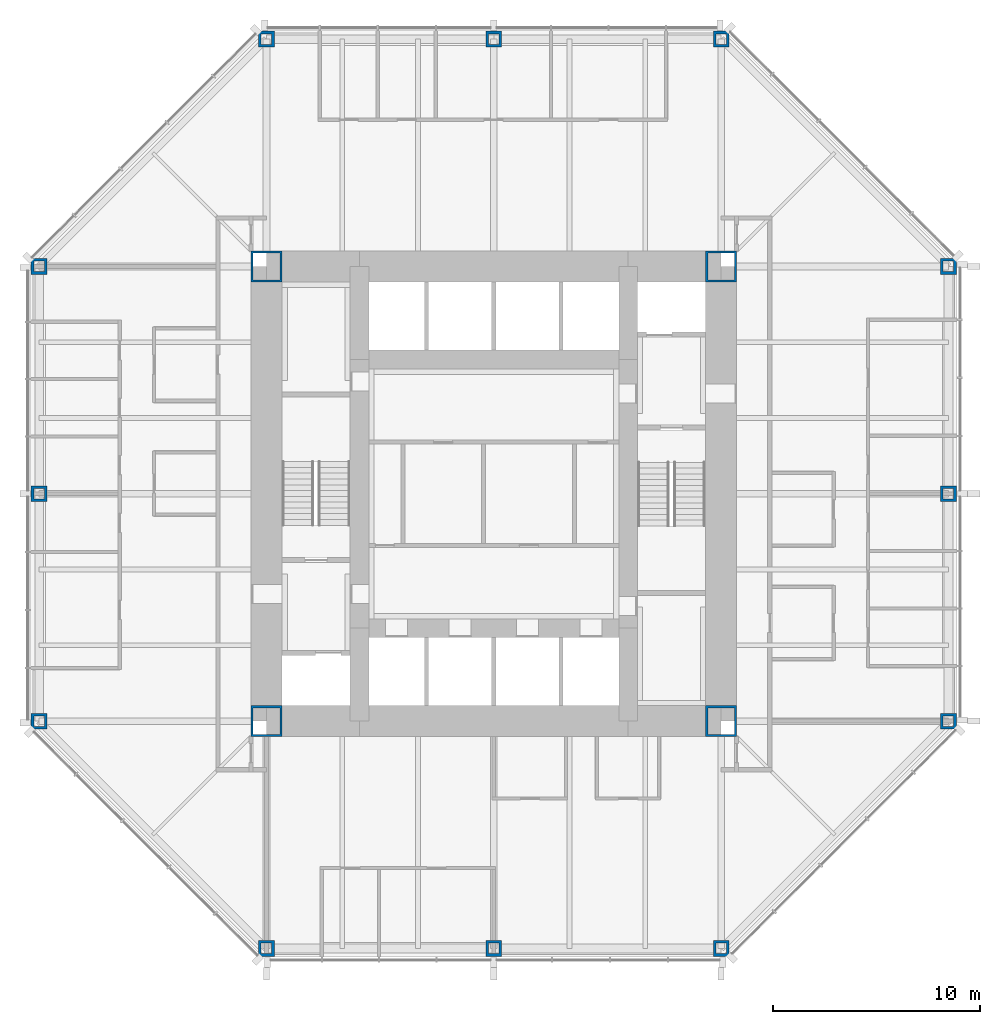
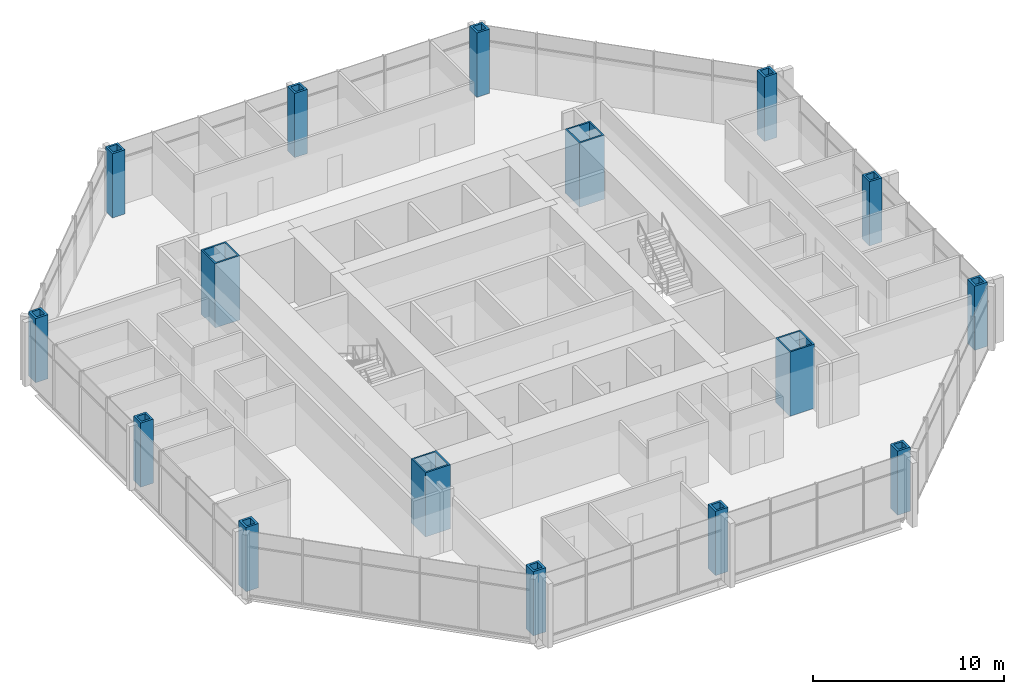
# One storey, part 1 of 12: 16 columns.
"""IFC4 building model written with IfcOpenShell, lengths in metres."""

from ifc_helpers import new_model, si_unit, direction, frame, origin, origin_2d, place, context, subcontext, project, spatial, hollow_rectangle, extrude, material, material_profile, profile_set, type_object, element, save


model = new_model("IFC4")

# Units and contexts
model_context = context("Model", 3, precision=1e-05, world=origin(), true_north=direction((0.0, 1.0)))
body_context = subcontext(model_context, "Body", "Model", "MODEL_VIEW")
ifc_project = project(units=[si_unit("LENGTHUNIT", "METRE"), si_unit("AREAUNIT", "SQUARE_METRE"), si_unit("VOLUMEUNIT", "CUBIC_METRE"), si_unit("PLANEANGLEUNIT", "RADIAN"), si_unit("MASSUNIT", "GRAM", prefix="KILO")], contexts=[model_context])

# Site, building, storey
site_placement = place(None, origin())
site = spatial("IfcSite", under=ifc_project, at=site_placement, CompositionType="ELEMENT")
building_placement = place(site_placement, origin())
building = spatial("IfcBuilding", under=site, at=building_placement, Name="Trevanion Tower", CompositionType="ELEMENT")
storey_placement = place(building_placement, frame((0.0, 0.0, 117.199951171875)))
storey = spatial("IfcBuildingStorey", under=building, at=storey_placement, Name="L27", CompositionType="ELEMENT", Elevation=117.199951171875)

# Columns
ifc_material_1 = material(Name="Steel ASTM A588 Grade 50", Category="steel")
ifc_material_profile_1 = material_profile(ifc_material_1, hollow_rectangle(XDim=0.761962890625, YDim=0.761962890625, WallThickness=0.126953125, at=origin_2d()), Name="BOX30X30X5")
ifc_profile_set_1 = profile_set([ifc_material_profile_1], Name="Steel ASTM A588 Grade 50")
column_type_1 = type_object("IfcColumnType", Name="C4 BOX30X30X5", PredefinedType="COLUMN", material=ifc_profile_set_1)
for number, where, z_axis, x_axis, name in (
    (1, (-22.0, 0.0, 0.0), (0.0, 0.0, 1.0), (0.0, 1.0, 0.0), "C4 4/H L27"),
    (2, (-22.0, -11.0, 0.0), (0.0, 0.0, 1.0), (0.0, 1.0, 0.0), "C4 4/F L27"),
    (3, (-11.0, -22.0, 0.0), (0.0, 0.0, 1.0), (1.0, 0.0, 0.0), "C4 8/B L27"),
    (4, (0.0, -22.0, 0.0), (0.0, 0.0, 1.0), (1.0, 0.0, 0.0), "C4 10/B L27"),
    (5, (11.0, -22.0, 0.0), (0.0, 0.0, 1.0), (1.0, 0.0, 0.0), "C4 12/B L27"),
    (6, (22.0, -11.0, 0.0), (0.0, 0.0, 1.0), (0.0, 1.0, 0.0), "C4 16/F L27"),
    (7, (22.0, 0.0, 0.0), (0.0, 0.0, 1.0), (0.0, 1.0, 0.0), "C4 16/H L27"),
    (8, (22.0, 11.0, 0.0), (0.0, 0.0, 1.0), (0.0, 1.0, 0.0), "C4 16/K L27"),
    (9, (11.0, 22.0, 0.0), (0.0, 0.0, 1.0), (1.0, 0.0, 0.0), "C4 12/P L27"),
    (10, (0.0, 22.0, 0.0), (0.0, 0.0, 1.0), (1.0, 0.0, 0.0), "C4 10/P L27"),
    (11, (-11.0, 22.0, 0.0), (0.0, 0.0, 1.0), (1.0, 0.0, 0.0), "C4 8/P L27"),
    (12, (-22.0, 11.0, 0.0), (0.0, 0.0, 1.0), (0.0, 1.0, 0.0), "C4 4/K L27"),
):
    element("IfcColumn", number, at=place(storey_placement, frame(where, z_axis=z_axis, x_axis=x_axis)), inside=storey, type_object=column_type_1, Name=name, PredefinedType="COLUMN", context=body_context, shape_type="SweptSolid", body=[
        extrude(hollow_rectangle(XDim=0.761962890625, YDim=0.761962890625, WallThickness=0.126953125, at=origin_2d()), origin(), (0.0, 0.0, 1.0), 4.10009765625),
    ])
ifc_material_2 = material(Name="Steel ASTM A572 Grade 50", Category="steel")
ifc_material_profile_2 = material_profile(ifc_material_2, hollow_rectangle(XDim=1.49853515625, YDim=1.49853515625, WallThickness=0.1015625, at=origin_2d()), Name="BOX59X59X4")
ifc_profile_set_2 = profile_set([ifc_material_profile_2], Name="Steel ASTM A572 Grade 50")
column_type_2 = type_object("IfcColumnType", Name="CB1 BOX59X59X4", PredefinedType="COLUMN", material=ifc_profile_set_2)
for number, where, z_axis, x_axis, name in (
    (13, (11.0, 11.0, 0.0), (0.0, 0.0, 1.0), (1.0, 0.0, 0.0), "CB1 NE L27"),
    (14, (-11.0, 11.0, 0.0), (0.0, 0.0, 1.0), (1.0, 0.0, 0.0), "CB1 NW L27"),
    (15, (-11.0, -11.0, 0.0), (0.0, 0.0, 1.0), (1.0, 0.0, 0.0), "CB1 SW L27"),
    (16, (11.0, -11.0, 0.0), (0.0, 0.0, 1.0), (1.0, 0.0, 0.0), "CB1 SE L27"),
):
    element("IfcColumn", number, at=place(storey_placement, frame(where, z_axis=z_axis, x_axis=x_axis)), inside=storey, type_object=column_type_2, Name=name, PredefinedType="COLUMN", context=body_context, shape_type="SweptSolid", body=[
        extrude(hollow_rectangle(XDim=1.49853515625, YDim=1.49853515625, WallThickness=0.1015625, at=origin_2d()), origin(), (0.0, 0.0, 1.0), 4.10009765625),
    ])

save(model, "model.ifc")
